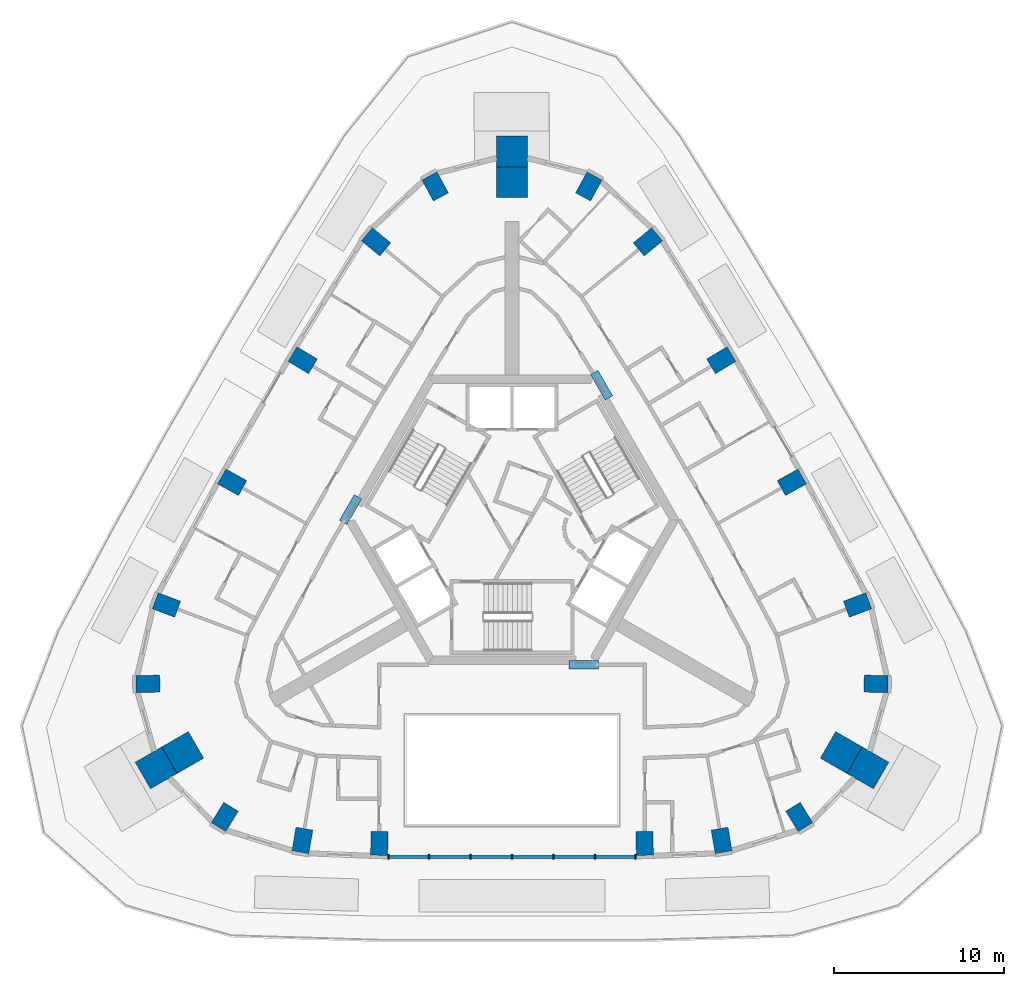
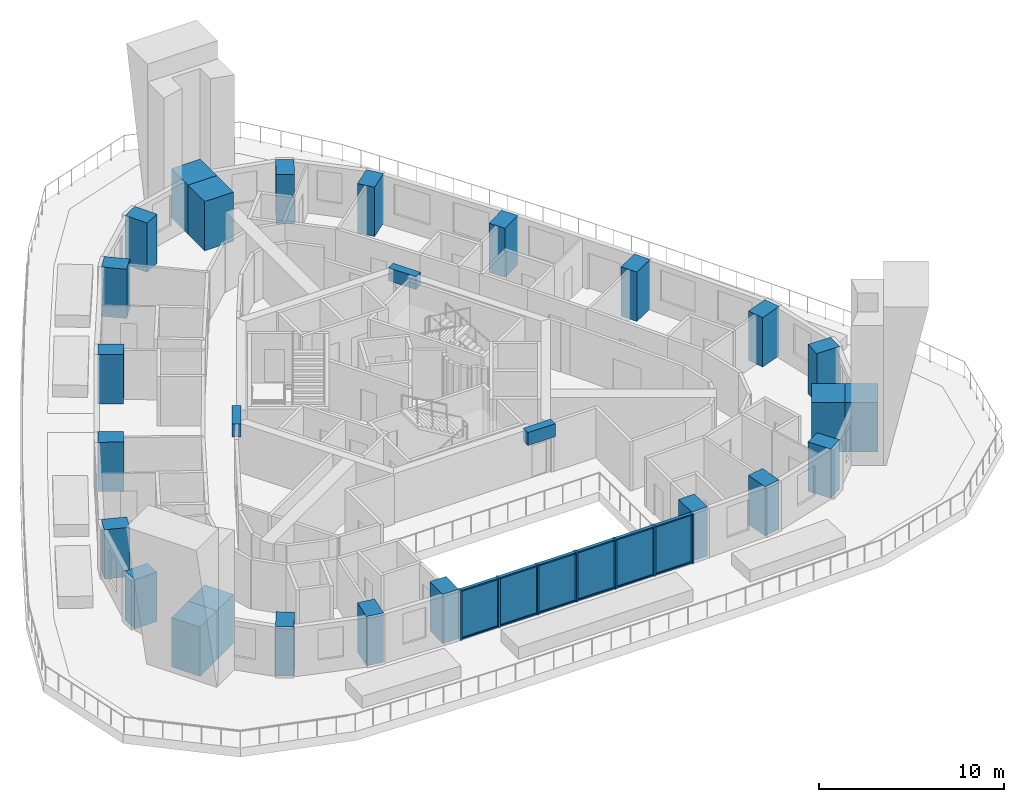
# One storey, part 1 of 12: 24 columns, 19 members, 6 plates, 3 beams, 1 element without a shape of its own.
"""IFC4 building model written with IfcOpenShell, lengths in metres."""

from ifc_helpers import new_model, si_unit, direction, frame, origin, origin_2d, place, context, subcontext, project, spatial, rectangle, extrude, material, layer, layer_set, material_profile, profile_set, type_object, element, aggregate, save


model = new_model("IFC4")

# Units and contexts
model_context = context("Model", 3, precision=1e-05, world=origin(), true_north=direction((0.0, 1.0)))
body_context = subcontext(model_context, "Body", "Model", "MODEL_VIEW")
ifc_project = project(units=[si_unit("LENGTHUNIT", "METRE"), si_unit("AREAUNIT", "SQUARE_METRE"), si_unit("VOLUMEUNIT", "CUBIC_METRE"), si_unit("PLANEANGLEUNIT", "RADIAN"), si_unit("MASSUNIT", "GRAM", prefix="KILO")], contexts=[model_context])

# Site, building, storey
site_placement = place(None, origin())
site = spatial("IfcSite", under=ifc_project, at=site_placement, CompositionType="ELEMENT")
building_placement = place(site_placement, origin())
building = spatial("IfcBuilding", under=site, at=building_placement, Name="Entoto Arch Interchange Tower", CompositionType="ELEMENT")
storey_placement = place(building_placement, frame((0.0, 0.0, 286.39990234375)))
storey = spatial("IfcBuildingStorey", under=building, at=storey_placement, Name="L66", CompositionType="ELEMENT", Elevation=286.39990234375)

# Columns
ifc_material_1 = material(Name="Concrete C40/50", Category="concrete")
ifc_material_profile_1 = material_profile(ifc_material_1, rectangle(XDim=1.0, YDim=1.39990234375, at=origin_2d()))
ifc_profile_set_1 = profile_set([ifc_material_profile_1], Name="Concrete C40/50")
column_type_1 = type_object("IfcColumnType", Name="Column RC 1000x1400 C40/50", PredefinedType="COLUMN", material=ifc_profile_set_1)
for number, where, z_axis, x_axis, name in (
    (1, (-12.297119140625, -16.31103515625, 0.0), (0.0, 0.0, 1.0), (-0.985785690827, 0.168007653877, 0.0), "Column S01 L66"),
    (2, (-7.781982421875, -16.48095703125, 0.0), (0.0, 0.0, 1.0), (-0.999805523312, 0.019720942027, 0.0), "Column S02 L66"),
    (3, (7.781982421875, -16.48095703125, 0.0), (0.0, 0.0, 1.0), (0.999805523312, 0.019720942027, 0.0), "Column S03 L66"),
    (4, (12.297119140625, -16.31103515625, 0.0), (0.0, 0.0, 1.0), (0.985785690827, 0.168007653877, 0.0), "Column S04 L66"),
    (5, (16.85009765625, -14.93310546875, 0.0), (0.0, 0.0, 1.0), (0.853650808213, 0.520845752251, 0.0), "Column SE1 L66"),
    (6, (21.35693359375, -7.1259765625, 0.0), (0.0, 0.0, 1.0), (0.024257696956, 0.999705738774, 0.0), "Column SE3 L66"),
    (7, (20.27490234375, -2.4970703125, 0.0), (0.0, 0.0, 1.0), (-0.3507141184, 0.93648257173, 0.0), "Column NE01 L66"),
    (8, (16.4150390625, 4.701904296875, 0.0), (0.0, 0.0, 1.0), (-0.48592357098, 0.874001306158, 0.0), "Column NE02 L66"),
    (9, (12.279052734375, 11.864990234375, 0.0), (0.0, 0.0, 1.0), (-0.513945548584, 0.857822809845, 0.0), "Column NE03 L66"),
    (10, (7.97509765625, 18.806884765625, 0.0), (0.0, 0.0, 1.0), (-0.635647164629, 0.771979716119, 0.0), "Column NE04 L66"),
    (11, (4.507080078125, 22.05908203125, 0.0), (0.0, 0.0, 1.0), (-0.877899414566, 0.478845087586, 0.0), "Column N1 L66"),
    (12, (-4.507080078125, 22.05908203125, 0.0), (0.0, 0.0, 1.0), (0.877899414566, 0.478845087586, 0.0), "Column N3 L66"),
    (13, (-7.97509765625, 18.806884765625, 0.0), (0.0, 0.0, 1.0), (0.635647164629, 0.771979716119, 0.0), "Column NW01 L66"),
    (14, (-12.279052734375, 11.864990234375, 0.0), (0.0, 0.0, 1.0), (0.513945548584, 0.857822809845, 0.0), "Column NW02 L66"),
    (15, (-16.4150390625, 4.701904296875, 0.0), (0.0, 0.0, 1.0), (0.48592357098, 0.874001306158, 0.0), "Column NW03 L66"),
    (16, (-20.27490234375, -2.4970703125, 0.0), (0.0, 0.0, 1.0), (0.3507141184, 0.93648257173, 0.0), "Column NW04 L66"),
    (17, (-21.35693359375, -7.1259765625, 0.0), (0.0, 0.0, 1.0), (-0.024257696956, 0.999705738774, 0.0), "Column SW1 L66"),
    (18, (-16.85009765625, -14.93310546875, 0.0), (0.0, 0.0, 1.0), (-0.853650808213, 0.520845752251, 0.0), "Column SW3 L66"),
):
    element("IfcColumn", number, at=place(storey_placement, frame(where, z_axis=z_axis, x_axis=x_axis)), inside=storey, type_object=column_type_1, Name=name, PredefinedType="COLUMN", context=body_context, shape_type="SweptSolid", body=[
        extrude(rectangle(XDim=1.0, YDim=1.39990234375, at=origin_2d()), origin(), (0.0, 0.0, 1.0), 3.260009765625),
    ])
ifc_material_2 = material(Name="Precast concrete C40/50", Category="concrete")
ifc_material_profile_2 = material_profile(ifc_material_2, rectangle(XDim=1.800048828125, YDim=1.800048828125, at=origin_2d()))
ifc_profile_set_2 = profile_set([ifc_material_profile_2], Name="Precast concrete C40/50")
column_type_2 = type_object("IfcColumnType", Name="Frame post RC 1800x1800 precast C40/50", PredefinedType="COLUMN", material=ifc_profile_set_2)
for number, where, z_axis, x_axis, name in (
    (19, (20.8779296875, -12.053955078125, 0.0), (0.0, 0.0, 1.0), (-0.866025403784, 0.5, 0.0), "Frame post SE L66"),
    (20, (0.0, 24.10791015625, 0.0), (0.0, 0.0, 1.0), (0.0, 1.0, 0.0), "Frame post N L66"),
    (21, (-20.8779296875, -12.053955078125, 0.0), (0.0, 0.0, 1.0), (0.866025403784, 0.5, 0.0), "Frame post SW L66"),
):
    element("IfcColumn", number, at=place(storey_placement, frame(where, z_axis=z_axis, x_axis=x_axis)), inside=storey, type_object=column_type_2, Name=name, PredefinedType="COLUMN", context=body_context, shape_type="SweptSolid", body=[
        extrude(rectangle(XDim=1.800048828125, YDim=1.800048828125, at=origin_2d()), origin(), (0.0, 0.0, 1.0), 3.260009765625),
    ])
ifc_material_profile_3 = material_profile(ifc_material_1, rectangle(XDim=1.800048828125, YDim=1.800048828125, at=origin_2d()))
ifc_profile_set_3 = profile_set([ifc_material_profile_3], Name="Concrete C40/50")
column_type_3 = type_object("IfcColumnType", Name="Mega column RC 1800x1800 C40/50", PredefinedType="COLUMN", material=ifc_profile_set_3)
for number, where, z_axis, x_axis, name in (
    (22, (19.319091796875, -11.154052734375, 0.0), (0.0, 0.0, 1.0), (-0.866025403784, 0.5, 0.0), "Corner mega column SE2 L66"),
    (23, (0.0, 22.30810546875, 0.0), (0.0, 0.0, 1.0), (0.0, 1.0, 0.0), "Corner mega column N2 L66"),
    (24, (-19.319091796875, -11.154052734375, 0.0), (0.0, 0.0, 1.0), (0.866025403784, 0.5, 0.0), "Corner mega column SW2 L66"),
):
    element("IfcColumn", number, at=place(storey_placement, frame(where, z_axis=z_axis, x_axis=x_axis)), inside=storey, type_object=column_type_3, Name=name, PredefinedType="COLUMN", context=body_context, shape_type="SweptSolid", body=[
        extrude(rectangle(XDim=1.800048828125, YDim=1.800048828125, at=origin_2d()), origin(), (0.0, 0.0, 1.0), 3.260009765625),
    ])

# Beams
ifc_material_profile_4 = material_profile(ifc_material_1, rectangle(XDim=0.5, YDim=0.860107421875, at=origin_2d()))
ifc_profile_set_4 = profile_set([ifc_material_profile_4], Name="Concrete C40/50")
beam_type = type_object("IfcBeamType", Name="Coupling beam RC 500x860 C40/50", PredefinedType="BEAM", material=ifc_profile_set_4)
for number, where, z_axis, x_axis, name in (
    (25, (5.68603515625, 9.65087890625, 2.830078125), (-0.500105721196, 0.865964357019, 0.0), (-0.865964357019, -0.500105721196, 0.0), "Coupling beam NE L66"),
    (26, (-9.035888671875, 3.84912109375, 2.830078125), (-0.500105721196, -0.865964357019, 0.0), (0.865964357019, -0.500105721196, 0.0), "Coupling beam NW L66"),
):
    element("IfcBeam", number, at=place(storey_placement, frame(where, z_axis=z_axis, x_axis=x_axis)), inside=storey, type_object=beam_type, Name=name, PredefinedType="BEAM", context=body_context, shape_type="SweptSolid", body=[
        extrude(rectangle(XDim=0.5, YDim=0.860107421875, at=origin_2d()), origin(), (0.0, 0.0, 1.0), 1.727783203125),
    ])
beam_placement = place(storey_placement, frame((3.35009765625, -6.0, 2.830078125), z_axis=(1.0, 0.0, 0.0), x_axis=(0.0, 1.0, 0.0)))
element("IfcBeam", 27, at=beam_placement, inside=storey, type_object=beam_type, Name="Coupling beam S L66", PredefinedType="BEAM", context=body_context, shape_type="SweptSolid", body=[
    extrude(rectangle(XDim=0.5, YDim=0.860107421875, at=origin_2d()), origin(), (0.0, 0.0, 1.0), 1.725830078125),
])

# Curtain wall, members, plates
ifc_material_3 = material(Name="Aluminium, anodised", Category="aluminium")
curtain_wall_type = type_object("IfcCurtainWallType", Name="CURTAIN WALL ATRIUM", PredefinedType="NOTDEFINED", material=ifc_material_3)
curtain_wall_placement = place(storey_placement, origin())
curtain_wall = element("IfcCurtainWall", 28, at=curtain_wall_placement, inside=storey, type_object=curtain_wall_type, Name="Atrium glazing S-02 L66", PredefinedType="NOTDEFINED")
ifc_material_profile_5 = material_profile(ifc_material_3, rectangle(XDim=0.300048828125, YDim=0.10009765625, at=origin_2d()))
ifc_profile_set_5 = profile_set([ifc_material_profile_5], Name="Aluminium, anodised")
member_type_1 = type_object("IfcMemberType", Name="MULLION ATRIUM 100x300", PredefinedType="MULLION", material=ifc_profile_set_5)
member_1_placement = place(storey_placement, frame((-7.248046875, -17.256103515625, 0.0), z_axis=(0.0, 0.0, 1.0), x_axis=(0.0, 1.0, 0.0)))
member_1 = element("IfcMember", 29, at=member_1_placement, type_object=member_type_1, Name="CWA mullion 1", PredefinedType="MULLION", context=body_context, shape_type="SweptSolid", body=[
    extrude(rectangle(XDim=0.300048828125, YDim=0.10009765625, at=origin_2d()), origin(), (0.0, 0.0, 1.0), 3.260009765625),
])
member_2_placement = place(storey_placement, frame((-4.865234375, -17.256103515625, 0.0), z_axis=(0.0, 0.0, 1.0), x_axis=(0.0, 1.0, 0.0)))
member_2 = element("IfcMember", 30, at=member_2_placement, type_object=member_type_1, Name="CWA mullion 2", PredefinedType="MULLION", context=body_context, shape_type="SweptSolid", body=[
    extrude(rectangle(XDim=0.300048828125, YDim=0.10009765625, at=origin_2d()), origin(), (0.0, 0.0, 1.0), 3.260009765625),
])
member_3_placement = place(storey_placement, frame((-2.4326171875, -17.256103515625, 0.0), z_axis=(0.0, 0.0, 1.0), x_axis=(0.0, 1.0, 0.0)))
member_3 = element("IfcMember", 31, at=member_3_placement, type_object=member_type_1, Name="CWA mullion 3", PredefinedType="MULLION", context=body_context, shape_type="SweptSolid", body=[
    extrude(rectangle(XDim=0.300048828125, YDim=0.10009765625, at=origin_2d()), origin(), (0.0, 0.0, 1.0), 3.260009765625),
])
member_4_placement = place(storey_placement, frame((0.0, -17.256103515625, 0.0), z_axis=(0.0, 0.0, 1.0), x_axis=(0.0, 1.0, 0.0)))
member_4 = element("IfcMember", 32, at=member_4_placement, type_object=member_type_1, Name="CWA mullion 4", PredefinedType="MULLION", context=body_context, shape_type="SweptSolid", body=[
    extrude(rectangle(XDim=0.300048828125, YDim=0.10009765625, at=origin_2d()), origin(), (0.0, 0.0, 1.0), 3.260009765625),
])
member_5_placement = place(storey_placement, frame((2.4326171875, -17.256103515625, 0.0), z_axis=(0.0, 0.0, 1.0), x_axis=(0.0, 1.0, 0.0)))
member_5 = element("IfcMember", 33, at=member_5_placement, type_object=member_type_1, Name="CWA mullion 5", PredefinedType="MULLION", context=body_context, shape_type="SweptSolid", body=[
    extrude(rectangle(XDim=0.300048828125, YDim=0.10009765625, at=origin_2d()), origin(), (0.0, 0.0, 1.0), 3.260009765625),
])
member_6_placement = place(storey_placement, frame((4.865234375, -17.256103515625, 0.0), z_axis=(0.0, 0.0, 1.0), x_axis=(0.0, 1.0, 0.0)))
member_6 = element("IfcMember", 34, at=member_6_placement, type_object=member_type_1, Name="CWA mullion 6", PredefinedType="MULLION", context=body_context, shape_type="SweptSolid", body=[
    extrude(rectangle(XDim=0.300048828125, YDim=0.10009765625, at=origin_2d()), origin(), (0.0, 0.0, 1.0), 3.260009765625),
])
member_7_placement = place(storey_placement, frame((7.248046875, -17.256103515625, 0.0), z_axis=(0.0, 0.0, 1.0), x_axis=(0.0, 1.0, 0.0)))
member_7 = element("IfcMember", 35, at=member_7_placement, type_object=member_type_1, Name="CWA mullion 7", PredefinedType="MULLION", context=body_context, shape_type="SweptSolid", body=[
    extrude(rectangle(XDim=0.300048828125, YDim=0.10009765625, at=origin_2d()), origin(), (0.0, 0.0, 1.0), 3.260009765625),
])
ifc_material_profile_6 = material_profile(ifc_material_3, rectangle(XDim=0.199951171875, YDim=0.080078125, at=origin_2d()))
ifc_profile_set_6 = profile_set([ifc_material_profile_6], Name="Aluminium, anodised")
member_type_2 = type_object("IfcMemberType", Name="TRANSOM ATRIUM 80x200", PredefinedType="USERDEFINED", material=ifc_profile_set_6)
member_8_placement = place(storey_placement, frame((-7.197998046875, -17.256103515625, 0.0400390625), z_axis=(1.0, 0.0, 0.0), x_axis=(0.0, 1.0, 0.0)))
member_8 = element("IfcMember", 36, at=member_8_placement, type_object=member_type_2, Name="CWA transom 1.1", ObjectType="TRANSOM", PredefinedType="USERDEFINED", context=body_context, shape_type="SweptSolid", body=[
    extrude(rectangle(XDim=0.199951171875, YDim=0.080078125, at=origin_2d()), origin(), (0.0, 0.0, 1.0), 2.28271484375),
])
member_9_placement = place(storey_placement, frame((-7.197998046875, -17.256103515625, 3.22021484375), z_axis=(1.0, 0.0, 0.0), x_axis=(0.0, 1.0, 0.0)))
member_9 = element("IfcMember", 37, at=member_9_placement, type_object=member_type_2, Name="CWA transom 1.2", ObjectType="TRANSOM", PredefinedType="USERDEFINED", context=body_context, shape_type="SweptSolid", body=[
    extrude(rectangle(XDim=0.199951171875, YDim=0.080078125, at=origin_2d()), origin(), (0.0, 0.0, 1.0), 2.28271484375),
])
member_10_placement = place(storey_placement, frame((-4.8154296875, -17.256103515625, 0.0400390625), z_axis=(1.0, 0.0, 0.0), x_axis=(0.0, 1.0, 0.0)))
member_10 = element("IfcMember", 38, at=member_10_placement, type_object=member_type_2, Name="CWA transom 2.1", ObjectType="TRANSOM", PredefinedType="USERDEFINED", context=body_context, shape_type="SweptSolid", body=[
    extrude(rectangle(XDim=0.199951171875, YDim=0.080078125, at=origin_2d()), origin(), (0.0, 0.0, 1.0), 2.332763671875),
])
member_11_placement = place(storey_placement, frame((-4.8154296875, -17.256103515625, 3.22021484375), z_axis=(1.0, 0.0, 0.0), x_axis=(0.0, 1.0, 0.0)))
member_11 = element("IfcMember", 39, at=member_11_placement, type_object=member_type_2, Name="CWA transom 2.2", ObjectType="TRANSOM", PredefinedType="USERDEFINED", context=body_context, shape_type="SweptSolid", body=[
    extrude(rectangle(XDim=0.199951171875, YDim=0.080078125, at=origin_2d()), origin(), (0.0, 0.0, 1.0), 2.332763671875),
])
member_12_placement = place(storey_placement, frame((-2.382568359375, -17.256103515625, 0.0400390625), z_axis=(1.0, 0.0, 0.0), x_axis=(0.0, 1.0, 0.0)))
member_12 = element("IfcMember", 40, at=member_12_placement, type_object=member_type_2, Name="CWA transom 3.1", ObjectType="TRANSOM", PredefinedType="USERDEFINED", context=body_context, shape_type="SweptSolid", body=[
    extrude(rectangle(XDim=0.199951171875, YDim=0.080078125, at=origin_2d()), origin(), (0.0, 0.0, 1.0), 2.33251953125),
])
member_13_placement = place(storey_placement, frame((-2.382568359375, -17.256103515625, 3.22021484375), z_axis=(1.0, 0.0, 0.0), x_axis=(0.0, 1.0, 0.0)))
member_13 = element("IfcMember", 41, at=member_13_placement, type_object=member_type_2, Name="CWA transom 3.2", ObjectType="TRANSOM", PredefinedType="USERDEFINED", context=body_context, shape_type="SweptSolid", body=[
    extrude(rectangle(XDim=0.199951171875, YDim=0.080078125, at=origin_2d()), origin(), (0.0, 0.0, 1.0), 2.33251953125),
])
member_14_placement = place(storey_placement, frame((0.050048828125, -17.256103515625, 0.0400390625), z_axis=(1.0, 0.0, 0.0), x_axis=(0.0, 1.0, 0.0)))
member_14 = element("IfcMember", 42, at=member_14_placement, type_object=member_type_2, Name="CWA transom 4.1", ObjectType="TRANSOM", PredefinedType="USERDEFINED", context=body_context, shape_type="SweptSolid", body=[
    extrude(rectangle(XDim=0.199951171875, YDim=0.080078125, at=origin_2d()), origin(), (0.0, 0.0, 1.0), 2.33251953125),
])
member_15_placement = place(storey_placement, frame((0.050048828125, -17.256103515625, 3.22021484375), z_axis=(1.0, 0.0, 0.0), x_axis=(0.0, 1.0, 0.0)))
member_15 = element("IfcMember", 43, at=member_15_placement, type_object=member_type_2, Name="CWA transom 4.2", ObjectType="TRANSOM", PredefinedType="USERDEFINED", context=body_context, shape_type="SweptSolid", body=[
    extrude(rectangle(XDim=0.199951171875, YDim=0.080078125, at=origin_2d()), origin(), (0.0, 0.0, 1.0), 2.33251953125),
])
member_16_placement = place(storey_placement, frame((2.482666015625, -17.256103515625, 0.0400390625), z_axis=(1.0, 0.0, 0.0), x_axis=(0.0, 1.0, 0.0)))
member_16 = element("IfcMember", 44, at=member_16_placement, type_object=member_type_2, Name="CWA transom 5.1", ObjectType="TRANSOM", PredefinedType="USERDEFINED", context=body_context, shape_type="SweptSolid", body=[
    extrude(rectangle(XDim=0.199951171875, YDim=0.080078125, at=origin_2d()), origin(), (0.0, 0.0, 1.0), 2.332763671875),
])
member_17_placement = place(storey_placement, frame((2.482666015625, -17.256103515625, 3.22021484375), z_axis=(1.0, 0.0, 0.0), x_axis=(0.0, 1.0, 0.0)))
member_17 = element("IfcMember", 45, at=member_17_placement, type_object=member_type_2, Name="CWA transom 5.2", ObjectType="TRANSOM", PredefinedType="USERDEFINED", context=body_context, shape_type="SweptSolid", body=[
    extrude(rectangle(XDim=0.199951171875, YDim=0.080078125, at=origin_2d()), origin(), (0.0, 0.0, 1.0), 2.332763671875),
])
member_18_placement = place(storey_placement, frame((4.915283203125, -17.256103515625, 0.0400390625), z_axis=(1.0, 0.0, 0.0), x_axis=(0.0, 1.0, 0.0)))
member_18 = element("IfcMember", 46, at=member_18_placement, type_object=member_type_2, Name="CWA transom 6.1", ObjectType="TRANSOM", PredefinedType="USERDEFINED", context=body_context, shape_type="SweptSolid", body=[
    extrude(rectangle(XDim=0.199951171875, YDim=0.080078125, at=origin_2d()), origin(), (0.0, 0.0, 1.0), 2.28271484375),
])
member_19_placement = place(storey_placement, frame((4.915283203125, -17.256103515625, 3.22021484375), z_axis=(1.0, 0.0, 0.0), x_axis=(0.0, 1.0, 0.0)))
member_19 = element("IfcMember", 47, at=member_19_placement, type_object=member_type_2, Name="CWA transom 6.2", ObjectType="TRANSOM", PredefinedType="USERDEFINED", context=body_context, shape_type="SweptSolid", body=[
    extrude(rectangle(XDim=0.199951171875, YDim=0.080078125, at=origin_2d()), origin(), (0.0, 0.0, 1.0), 2.28271484375),
])
ifc_material_4 = material(Name="Clear glass, low-e double glazed", Category="glass")
ifc_layer = layer(ifc_material_4, 0.031982421875)
ifc_layer_set = layer_set([ifc_layer], Name="Clear glass, low-e double glazed")
plate_type = type_object("IfcPlateType", Name="GLAZING PANEL ATRIUM 32", PredefinedType="CURTAIN_PANEL", material=ifc_layer_set)
plate_1_placement = place(storey_placement, frame((-6.056640625, -17.256103515625, 0.080078125), z_axis=(0.0, 0.0, 1.0), x_axis=(1.0, 0.0, 0.0)))
plate_1 = element("IfcPlate", 48, at=plate_1_placement, type_object=plate_type, Name="CWA panel 1.1", PredefinedType="CURTAIN_PANEL", context=body_context, shape_type="SweptSolid", body=[
    extrude(rectangle(XDim=2.28271484375, YDim=0.031982421875, at=origin_2d()), origin(), (0.0, 0.0, 1.0), 3.10009765625),
])
plate_2_placement = place(storey_placement, frame((-3.64892578125, -17.256103515625, 0.080078125), z_axis=(0.0, 0.0, 1.0), x_axis=(1.0, 0.0, 0.0)))
plate_2 = element("IfcPlate", 49, at=plate_2_placement, type_object=plate_type, Name="CWA panel 2.1", PredefinedType="CURTAIN_PANEL", context=body_context, shape_type="SweptSolid", body=[
    extrude(rectangle(XDim=2.332763671875, YDim=0.031982421875, at=origin_2d()), origin(), (0.0, 0.0, 1.0), 3.10009765625),
])
plate_3_placement = place(storey_placement, frame((-1.21630859375, -17.256103515625, 0.080078125), z_axis=(0.0, 0.0, 1.0), x_axis=(1.0, 0.0, 0.0)))
plate_3 = element("IfcPlate", 50, at=plate_3_placement, type_object=plate_type, Name="CWA panel 3.1", PredefinedType="CURTAIN_PANEL", context=body_context, shape_type="SweptSolid", body=[
    extrude(rectangle(XDim=2.332763671875, YDim=0.031982421875, at=origin_2d()), origin(), (0.0, 0.0, 1.0), 3.10009765625),
])
plate_4_placement = place(storey_placement, frame((1.21630859375, -17.256103515625, 0.080078125), z_axis=(0.0, 0.0, 1.0), x_axis=(1.0, 0.0, 0.0)))
plate_4 = element("IfcPlate", 51, at=plate_4_placement, type_object=plate_type, Name="CWA panel 4.1", PredefinedType="CURTAIN_PANEL", context=body_context, shape_type="SweptSolid", body=[
    extrude(rectangle(XDim=2.332763671875, YDim=0.031982421875, at=origin_2d()), origin(), (0.0, 0.0, 1.0), 3.10009765625),
])
plate_5_placement = place(storey_placement, frame((3.64892578125, -17.256103515625, 0.080078125), z_axis=(0.0, 0.0, 1.0), x_axis=(1.0, 0.0, 0.0)))
plate_5 = element("IfcPlate", 52, at=plate_5_placement, type_object=plate_type, Name="CWA panel 5.1", PredefinedType="CURTAIN_PANEL", context=body_context, shape_type="SweptSolid", body=[
    extrude(rectangle(XDim=2.332763671875, YDim=0.031982421875, at=origin_2d()), origin(), (0.0, 0.0, 1.0), 3.10009765625),
])
plate_6_placement = place(storey_placement, frame((6.056640625, -17.256103515625, 0.080078125), z_axis=(0.0, 0.0, 1.0), x_axis=(1.0, 0.0, 0.0)))
plate_6 = element("IfcPlate", 53, at=plate_6_placement, type_object=plate_type, Name="CWA panel 6.1", PredefinedType="CURTAIN_PANEL", context=body_context, shape_type="SweptSolid", body=[
    extrude(rectangle(XDim=2.28271484375, YDim=0.031982421875, at=origin_2d()), origin(), (0.0, 0.0, 1.0), 3.10009765625),
])
aggregate(curtain_wall, [member_1, member_2, member_3, member_4, member_5, member_6, member_7, member_8, member_9, plate_1, member_10, member_11, plate_2, member_12, member_13, plate_3, member_14, member_15, plate_4, member_16, member_17, plate_5, member_18, member_19, plate_6])

save(model, "model.ifc")
